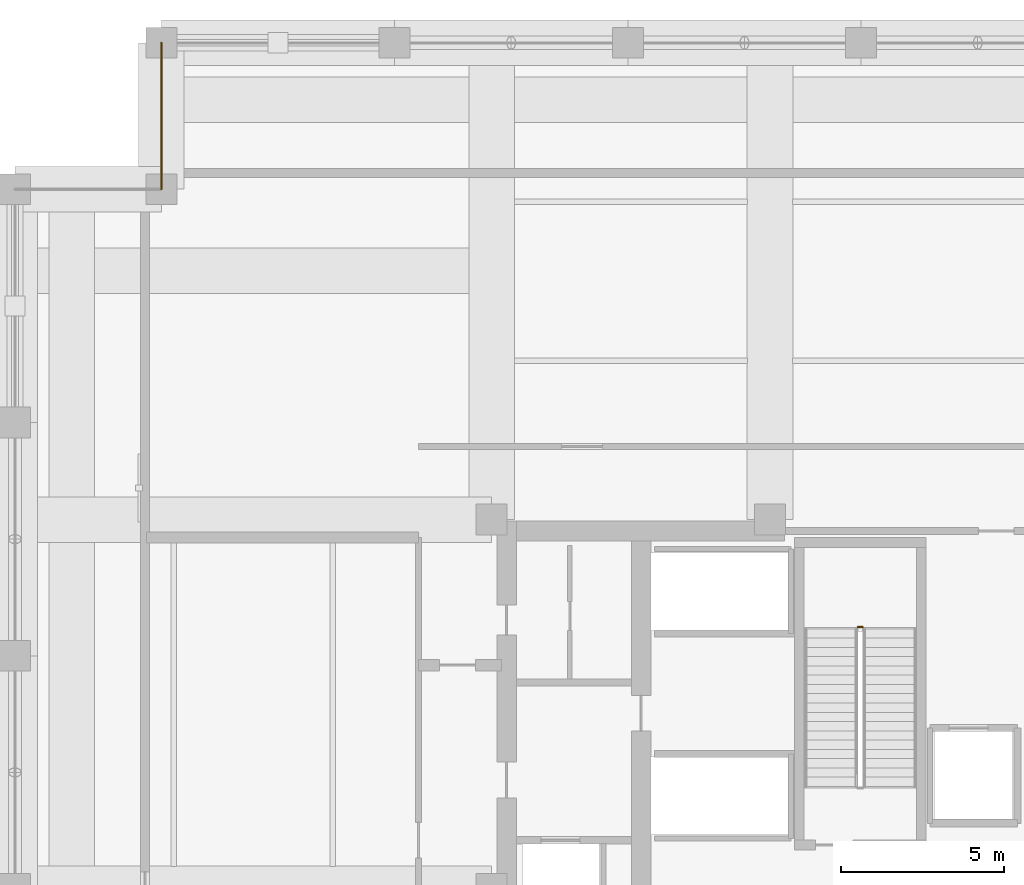
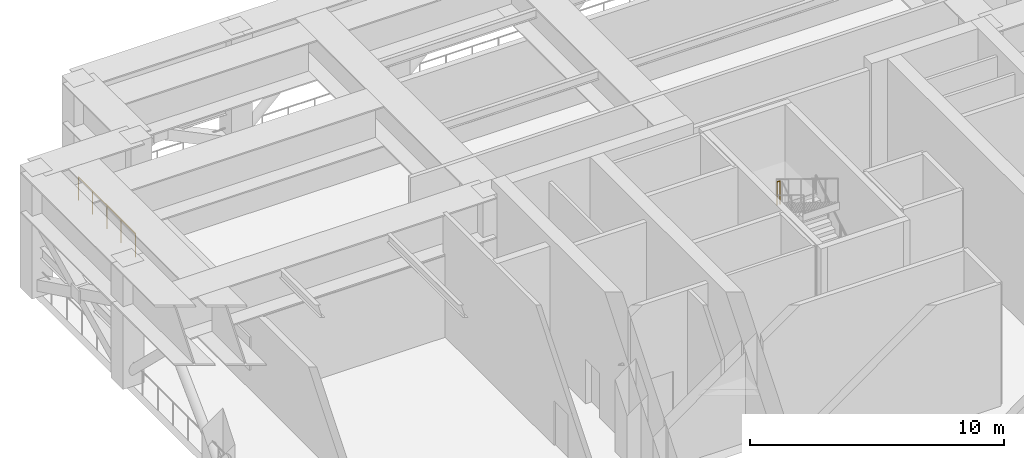
# One storey, part 11 of 12: 2 railings.
"""IFC4 building model written with IfcOpenShell, lengths in metres."""

from ifc_helpers import new_model, si_unit, direction, frame, origin, origin_2d, place, context, subcontext, project, spatial, circle, extrude, material, type_object, element, save


model = new_model("IFC4")

# Units and contexts
model_context = context("Model", 3, precision=1e-05, world=origin(), true_north=direction((0.0, 1.0)))
body_context = subcontext(model_context, "Body", "Model", "MODEL_VIEW")
ifc_project = project(units=[si_unit("LENGTHUNIT", "METRE"), si_unit("AREAUNIT", "SQUARE_METRE"), si_unit("VOLUMEUNIT", "CUBIC_METRE"), si_unit("PLANEANGLEUNIT", "RADIAN"), si_unit("MASSUNIT", "GRAM", prefix="KILO")], contexts=[model_context])

# Site, building, storey
site_placement = place(None, origin())
site = spatial("IfcSite", under=ifc_project, at=site_placement, CompositionType="ELEMENT")
building_placement = place(site_placement, origin())
building = spatial("IfcBuilding", under=site, at=building_placement, Name="Nhamokura Convention Tower", CompositionType="ELEMENT")
storey_placement = place(building_placement, frame((0.0, 0.0, 176.050048828125)))
storey = spatial("IfcBuildingStorey", under=building, at=storey_placement, Name="L43", CompositionType="ELEMENT", Elevation=176.050048828125)

# Railings
ifc_material_1 = material(Name="Painted tubular steel", Category="steel")
railing_type_1 = type_object("IfcRailingType", Name="StairWellGuardrail_1150", PredefinedType="GUARDRAIL", material=ifc_material_1)
railing_1_placement = place(storey_placement, frame((32.050048828125, 40.044921875, 3.14990234375)))
element("IfcRailing", 1, at=railing_1_placement, inside=storey, type_object=railing_type_1, Name="L43 ST-03 stair guard 2", PredefinedType="GUARDRAIL", context=body_context, shape_type="SweptSolid", body=[
    extrude(circle(Radius=0.02392578125, at=origin_2d()), frame((0.0, 0.0, 1.1259765625), z_axis=(-1.0, 0.0, 0.0), x_axis=(0.0, -1.0, 0.0)), (0.0, 0.0, 1.0), 0.150146484375),
    extrude(circle(Radius=0.02099609375, at=origin_2d()), origin(), (0.0, 0.0, 1.0), 1.101806640625),
    extrude(circle(Radius=0.02099609375, at=origin_2d()), frame((-0.150146484375, 0.0, 0.0)), (0.0, 0.0, 1.0), 1.101806640625),
])
ifc_material_2 = material(Name="Anodised bronze stainless steel", Category="steel")
railing_type_2 = type_object("IfcRailingType", Name="TerraceGuardrail_1150", PredefinedType="GUARDRAIL", material=ifc_material_2)
railing_2_placement = place(storey_placement, frame((10.5, 58.0, 0.0)))
element("IfcRailing", 2, at=railing_2_placement, inside=storey, type_object=railing_type_2, Name="L43 Perimeter Guardrail 08", PredefinedType="GUARDRAIL", context=body_context, shape_type="SweptSolid", body=[
    extrude(circle(Radius=0.02392578125, at=origin_2d()), frame((0.0, 0.0, 1.1259765625), z_axis=(0.0, -1.0, 0.0), x_axis=(1.0, 0.0, 0.0)), (0.0, 0.0, 1.0), 4.5),
    extrude(circle(Radius=0.02099609375, at=origin_2d()), origin(), (0.0, 0.0, 1.0), 1.101806640625),
    extrude(circle(Radius=0.02099609375, at=origin_2d()), frame((0.0, -1.125, 0.0)), (0.0, 0.0, 1.0), 1.101806640625),
    extrude(circle(Radius=0.02099609375, at=origin_2d()), frame((0.0, -2.25, 0.0)), (0.0, 0.0, 1.0), 1.101806640625),
    extrude(circle(Radius=0.02099609375, at=origin_2d()), frame((0.0, -3.375, 0.0)), (0.0, 0.0, 1.0), 1.101806640625),
    extrude(circle(Radius=0.02099609375, at=origin_2d()), frame((0.0, -4.5, 0.0)), (0.0, 0.0, 1.0), 1.101806640625),
])

save(model, "model.ifc")
